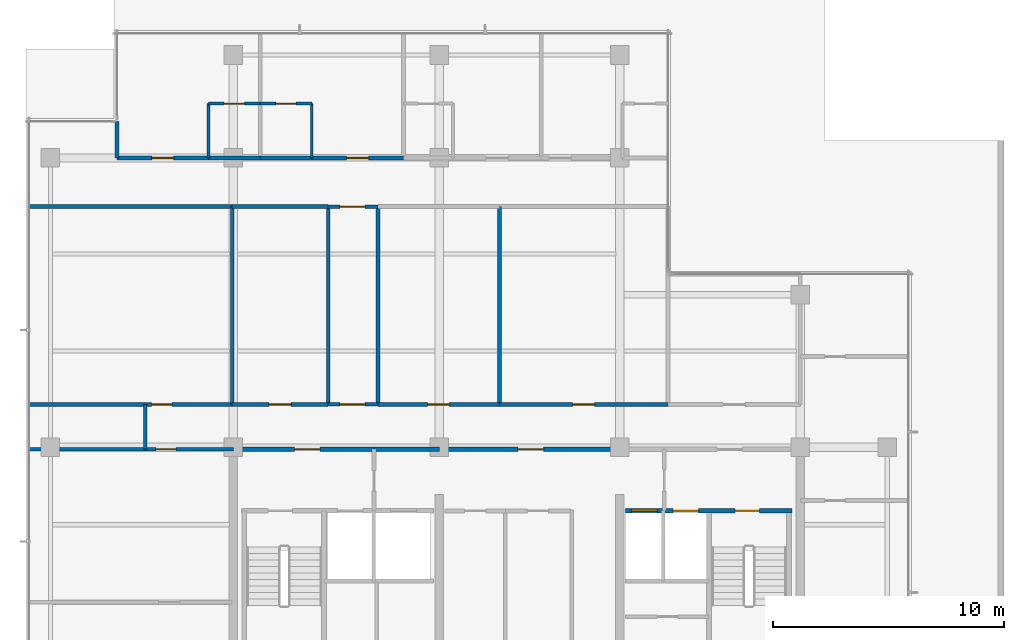
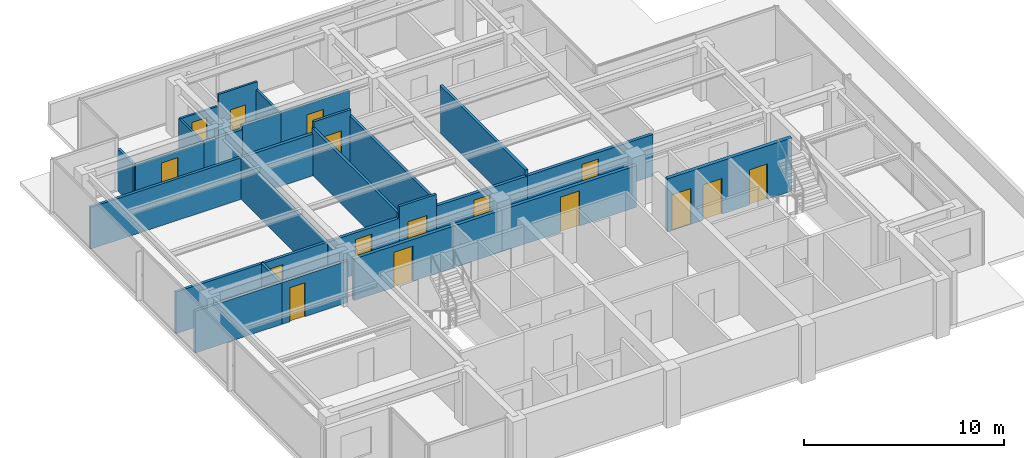
# One storey, part 7 of 11: 28 walls, 16 doors, 16 openings.
"""IFC4 building model written with IfcOpenShell, lengths in metres."""

from ifc_helpers import new_model, si_unit, direction, frame, frame_2d, origin, place, context, subcontext, project, spatial, rectangle, extrude, material, layer, layer_set, type_object, element, fill, save


model = new_model("IFC4")

# Units and contexts
model_context = context("Model", 3, precision=1e-05, world=origin(), true_north=direction((0.0, 1.0)))
body_context = subcontext(model_context, "Body", "Model", "MODEL_VIEW")
ifc_project = project(units=[si_unit("LENGTHUNIT", "METRE"), si_unit("AREAUNIT", "SQUARE_METRE"), si_unit("VOLUMEUNIT", "CUBIC_METRE"), si_unit("PLANEANGLEUNIT", "RADIAN"), si_unit("MASSUNIT", "GRAM", prefix="KILO")], contexts=[model_context])

# Site, building, storey
site_placement = place(None, origin())
site = spatial("IfcSite", under=ifc_project, at=site_placement, CompositionType="ELEMENT")
building_placement = place(site_placement, origin())
building = spatial("IfcBuilding", under=site, at=building_placement, Name="Qalmaran Belvedere Hotel", CompositionType="ELEMENT")
storey_placement = place(building_placement, frame((0.0, 0.0, 238.89990234375)))
storey = spatial("IfcBuildingStorey", under=building, at=storey_placement, Name="L61", CompositionType="ELEMENT", Elevation=238.89990234375)

# Wall, opening, door
ifc_material_1 = material(Name="Moisture-Resistant Gypsum")
ifc_layer_1 = layer(ifc_material_1, 0.1201171875, Name="Moisture-Resistant Gypsum")
ifc_layer_set_1 = layer_set([ifc_layer_1], Name="Moisture-Resistant Gypsum")
wall_type_1 = type_object("IfcWallType", Name="WL-INT-120-BATH", PredefinedType="PARTITIONING", material=ifc_layer_set_1)
wall_1_placement = place(storey_placement, frame((19.230712890625, 35.35009765625, 0.0), z_axis=(0.0, 0.0, 1.0), x_axis=(1.0, 0.0, 0.0)))
wall_1 = element("IfcWall", 1, at=wall_1_placement, inside=storey, type_object=wall_type_1, Name="L61 Partition WL-L61-NBN00", PredefinedType="PARTITIONING", context=body_context, shape_type="SweptSolid", body=[
    extrude(rectangle(XDim=2.22998046875, YDim=0.1201171875, at=frame_2d((1.114990234375, 0.0))), origin(), (0.0, 0.0, 1.0), 2.550048828125),
])
opening_1_placement = place(wall_1_placement, frame((1.554931640625, 0.0, 0.0), z_axis=(0.0, 0.0, 1.0), x_axis=(-1.0, 0.0, 0.0)))
opening_1 = element("IfcOpeningElement", 2, at=opening_1_placement, cuts=wall_1, Name="Opening D-BATH", PredefinedType="OPENING", context=body_context, shape_type="SweptSolid", body=[
    extrude(rectangle(XDim=0.8798828125, YDim=2.080078125, at=frame_2d((0.43994140625, 1.0400390625))), frame((0.0, 0.070068359375, 0.0), z_axis=(0.0, -1.0, 0.0), x_axis=(1.0, 0.0, 0.0)), (0.0, 0.0, 1.0), 0.14013671875),
])
ifc_material_2 = material(Name="Engineered Oak Veneer")
door_type_1 = type_object("IfcDoorType", Name="DR-INT-BATH-880X2080", OperationType="NOTDEFINED", PredefinedType="DOOR", material=ifc_material_2)
door_1_placement = place(opening_1_placement, origin())
door_1 = element("IfcDoor", 3, at=door_1_placement, inside=storey, type_object=door_type_1, Name="L61 Ensuite Bathroom Door N01", OperationType="SINGLE_SWING_LEFT", OverallHeight=2.080078125, OverallWidth=0.8798828125, PredefinedType="DOOR", context=body_context, shape_type="SweptSolid", body=[
    extrude(rectangle(XDim=0.8798828125, YDim=2.080078125, at=frame_2d((0.43994140625, 1.0400390625))), frame((0.0, 0.02490234375, 0.0), z_axis=(0.0, -1.0, 0.0), x_axis=(1.0, 0.0, 0.0)), (0.0, 0.0, 1.0), 0.050048828125),
])
fill(opening_1, door_1)

# Wall
wall_2_placement = place(storey_placement, frame((19.230712890625, 33.0, 0.0), z_axis=(0.0, 0.0, 1.0), x_axis=(0.0, 1.0, 0.0)))
element("IfcWall", 4, at=wall_2_placement, inside=storey, type_object=wall_type_1, Name="L61 Partition WL-L61-NBS00", PredefinedType="PARTITIONING", context=body_context, shape_type="SweptSolid", body=[
    extrude(rectangle(XDim=2.35009765625, YDim=0.1201171875, at=frame_2d((1.175048828125, 0.0))), origin(), (0.0, 0.0, 1.0), 2.550048828125),
])

# Wall, opening, door
wall_3_placement = place(storey_placement, frame((21.460693359375, 35.35009765625, 0.0), z_axis=(0.0, 0.0, 1.0), x_axis=(1.0, 0.0, 0.0)))
wall_3 = element("IfcWall", 5, at=wall_3_placement, inside=storey, type_object=wall_type_1, Name="L61 Partition WL-L61-NBN01", PredefinedType="PARTITIONING", context=body_context, shape_type="SweptSolid", body=[
    extrude(rectangle(XDim=2.22998046875, YDim=0.1201171875, at=frame_2d((1.114990234375, 0.0))), origin(), (0.0, 0.0, 1.0), 3.260009765625),
])
opening_2_placement = place(wall_3_placement, frame((1.554931640625, 0.0, 0.0), z_axis=(0.0, 0.0, 1.0), x_axis=(-1.0, 0.0, 0.0)))
opening_2 = element("IfcOpeningElement", 6, at=opening_2_placement, cuts=wall_3, Name="Opening D-BATH", PredefinedType="OPENING", context=body_context, shape_type="SweptSolid", body=[
    extrude(rectangle(XDim=0.8798828125, YDim=2.080078125, at=frame_2d((0.43994140625, 1.0400390625))), frame((0.0, 0.070068359375, 0.0), z_axis=(0.0, -1.0, 0.0), x_axis=(1.0, 0.0, 0.0)), (0.0, 0.0, 1.0), 0.14013671875),
])
door_2_placement = place(opening_2_placement, origin())
door_2 = element("IfcDoor", 7, at=door_2_placement, inside=storey, type_object=door_type_1, Name="L61 Ensuite Bathroom Door N02", OperationType="SINGLE_SWING_LEFT", OverallHeight=2.080078125, OverallWidth=0.8798828125, PredefinedType="DOOR", context=body_context, shape_type="SweptSolid", body=[
    extrude(rectangle(XDim=0.8798828125, YDim=2.080078125, at=frame_2d((0.43994140625, 1.0400390625))), frame((0.0, 0.02490234375, 0.0), z_axis=(0.0, -1.0, 0.0), x_axis=(1.0, 0.0, 0.0)), (0.0, 0.0, 1.0), 0.050048828125),
])
fill(opening_2, door_2)

# Wall
wall_4_placement = place(storey_placement, frame((23.690673828125, 33.0, 0.0), z_axis=(0.0, 0.0, 1.0), x_axis=(0.0, 1.0, 0.0)))
element("IfcWall", 8, at=wall_4_placement, inside=storey, type_object=wall_type_1, Name="L61 Partition WL-L61-NBS01", PredefinedType="PARTITIONING", context=body_context, shape_type="SweptSolid", body=[
    extrude(rectangle(XDim=2.35009765625, YDim=0.1201171875, at=frame_2d((1.175048828125, 0.0))), origin(), (0.0, 0.0, 1.0), 2.781982421875),
])

# Wall, opening, door
ifc_material_3 = material(Name="Gypsum Stud Partition")
ifc_layer_2 = layer(ifc_material_3, 0.14990234375, Name="Gypsum Stud Partition")
ifc_layer_set_2 = layer_set([ifc_layer_2], Name="Gypsum Stud Partition")
wall_type_2 = type_object("IfcWallType", Name="WL-INT-150-EI60", PredefinedType="PARTITIONING", material=ifc_layer_set_2)
wall_5_placement = place(storey_placement, frame((24.39990234375, 22.35009765625, 0.0), z_axis=(0.0, 0.0, 1.0), x_axis=(1.0, 0.0, 0.0)))
wall_5 = element("IfcWall", 9, at=wall_5_placement, inside=storey, type_object=wall_type_2, Name="L61 Partition WL-L61-XCLS", PredefinedType="PARTITIONING", context=body_context, shape_type="SweptSolid", body=[
    extrude(rectangle(XDim=2.150146484375, YDim=0.14990234375, at=frame_2d((1.0751953125, 0.0))), origin(), (0.0, 0.0, 1.0), 3.260009765625),
])
opening_3_placement = place(wall_5_placement, frame((0.5, 0.0, 0.0)))
opening_3 = element("IfcOpeningElement", 10, at=opening_3_placement, cuts=wall_5, Name="Opening FD90", PredefinedType="OPENING", context=body_context, shape_type="SweptSolid", body=[
    extrude(rectangle(XDim=1.10009765625, YDim=2.14990234375, at=frame_2d((0.550048828125, 1.074951171875))), frame((0.0, 0.0849609375, 0.0), z_axis=(0.0, -1.0, 0.0), x_axis=(1.0, 0.0, 0.0)), (0.0, 0.0, 1.0), 0.169921875),
])
ifc_material_4 = material(Name="Steel S355JR", Category="steel")
door_type_2 = type_object("IfcDoorType", Name="DR-FD90-1100X2150", OperationType="NOTDEFINED", PredefinedType="DOOR", material=ifc_material_4)
door_3_placement = place(opening_3_placement, origin())
door_3 = element("IfcDoor", 11, at=door_3_placement, inside=storey, type_object=door_type_2, Name="L61 Sky Link South Door", OperationType="SINGLE_SWING_RIGHT", OverallHeight=2.14990234375, OverallWidth=1.10009765625, PredefinedType="DOOR", context=body_context, shape_type="SweptSolid", body=[
    extrude(rectangle(XDim=1.10009765625, YDim=2.14990234375, at=frame_2d((0.550048828125, 1.074951171875))), frame((0.0, 0.02490234375, 0.0), z_axis=(0.0, -1.0, 0.0), x_axis=(1.0, 0.0, 0.0)), (0.0, 0.0, 1.0), 0.050048828125),
])
fill(opening_3, door_3)

wall_6_placement = place(storey_placement, frame((24.39990234375, 30.89990234375, 0.0), z_axis=(0.0, 0.0, 1.0), x_axis=(1.0, 0.0, 0.0)))
wall_6 = element("IfcWall", 12, at=wall_6_placement, inside=storey, type_object=wall_type_2, Name="L61 Partition WL-L61-XCLN", PredefinedType="PARTITIONING", context=body_context, shape_type="SweptSolid", body=[
    extrude(rectangle(XDim=2.150146484375, YDim=0.14990234375, at=frame_2d((1.0751953125, 0.0))), origin(), (0.0, 0.0, 1.0), 3.260009765625),
])
opening_4_placement = place(wall_6_placement, frame((0.5, 0.0, 0.0)))
opening_4 = element("IfcOpeningElement", 13, at=opening_4_placement, cuts=wall_6, Name="Opening FD90", PredefinedType="OPENING", context=body_context, shape_type="SweptSolid", body=[
    extrude(rectangle(XDim=1.10009765625, YDim=2.14990234375, at=frame_2d((0.550048828125, 1.074951171875))), frame((0.0, 0.0849609375, 0.0), z_axis=(0.0, -1.0, 0.0), x_axis=(1.0, 0.0, 0.0)), (0.0, 0.0, 1.0), 0.169921875),
])
door_4_placement = place(opening_4_placement, origin())
door_4 = element("IfcDoor", 14, at=door_4_placement, inside=storey, type_object=door_type_2, Name="L61 Sky Link North Door", OperationType="SINGLE_SWING_LEFT", OverallHeight=2.14990234375, OverallWidth=1.10009765625, PredefinedType="DOOR", context=body_context, shape_type="SweptSolid", body=[
    extrude(rectangle(XDim=1.10009765625, YDim=2.14990234375, at=frame_2d((0.550048828125, 1.074951171875))), frame((0.0, 0.02490234375, 0.0), z_axis=(0.0, -1.0, 0.0), x_axis=(1.0, 0.0, 0.0)), (0.0, 0.0, 1.0), 0.050048828125),
])
fill(opening_4, door_4)

# Wall
ifc_layer_3 = layer(ifc_material_3, 0.159912109375, Name="Gypsum Stud Partition")
ifc_layer_set_3 = layer_set([ifc_layer_3], Name="Gypsum Stud Partition")
wall_type_3 = type_object("IfcWallType", Name="WL-INT-160-EI60", PredefinedType="PARTITIONING", material=ifc_layer_set_3)
wall_7_placement = place(storey_placement, frame((11.469970703125, 20.419921875, 0.0), z_axis=(0.0, 0.0, 1.0), x_axis=(1.0, 0.0, 0.0)))
element("IfcWall", 15, at=wall_7_placement, inside=storey, type_object=wall_type_3, Name="L61 Partition WL-L61-C4WS1", PredefinedType="PARTITIONING", context=body_context, shape_type="SweptSolid", body=[
    extrude(rectangle(XDim=5.030029296875, YDim=0.159912109375, at=frame_2d((2.51513671875, 0.0))), origin(), (0.0, 0.0, 1.0), 2.550048828125),
])

# Wall, opening, door
wall_8_placement = place(storey_placement, frame((16.5, 20.419921875, 0.0), z_axis=(0.0, 0.0, 1.0), x_axis=(1.0, 0.0, 0.0)))
wall_8 = element("IfcWall", 16, at=wall_8_placement, inside=storey, type_object=wall_type_3, Name="L61 Partition WL-L61-C4WS2", PredefinedType="PARTITIONING", context=body_context, shape_type="SweptSolid", body=[
    extrude(rectangle(XDim=3.800048828125, YDim=0.159912109375, at=frame_2d((1.89990234375, 0.0))), origin(), (0.0, 0.0, 1.0), 2.550048828125),
])
opening_5_placement = place(wall_8_placement, frame((1.329833984375, 0.0, 0.0), z_axis=(0.0, 0.0, 1.0), x_axis=(-1.0, 0.0, 0.0)))
opening_5 = element("IfcOpeningElement", 17, at=opening_5_placement, cuts=wall_8, Name="Opening FD60B", PredefinedType="OPENING", context=body_context, shape_type="SweptSolid", body=[
    extrude(rectangle(XDim=0.8798828125, YDim=2.080078125, at=frame_2d((0.43994140625, 1.0400390625))), frame((0.0, 0.08984375, 0.0), z_axis=(0.0, -1.0, 0.0), x_axis=(1.0, 0.0, 0.0)), (0.0, 0.0, 1.0), 0.179931640625),
])
door_type_3 = type_object("IfcDoorType", Name="DR-FD60B-880X2080", OperationType="NOTDEFINED", PredefinedType="DOOR", material=ifc_material_4)
door_5_placement = place(opening_5_placement, origin())
door_5 = element("IfcDoor", 18, at=door_5_placement, inside=storey, type_object=door_type_3, Name="L61 West Salon Door", OperationType="SINGLE_SWING_LEFT", OverallHeight=2.080078125, OverallWidth=0.8798828125, PredefinedType="DOOR", context=body_context, shape_type="SweptSolid", body=[
    extrude(rectangle(XDim=0.8798828125, YDim=2.080078125, at=frame_2d((0.43994140625, 1.0400390625))), frame((0.0, 0.02490234375, 0.0), z_axis=(0.0, -1.0, 0.0), x_axis=(1.0, 0.0, 0.0)), (0.0, 0.0, 1.0), 0.050048828125),
])
fill(opening_5, door_5)

# Wall
wall_9_placement = place(storey_placement, frame((16.5, 20.419921875, 0.0), z_axis=(0.0, 0.0, 1.0), x_axis=(0.0, 1.0, 0.0)))
element("IfcWall", 19, at=wall_9_placement, inside=storey, type_object=wall_type_3, Name="L61 Partition WL-L61-C4WW", PredefinedType="PARTITIONING", context=body_context, shape_type="SweptSolid", body=[
    extrude(rectangle(XDim=1.93017578125, YDim=0.159912109375, at=frame_2d((0.965087890625, 0.0))), origin(), (0.0, 0.0, 1.0), 2.550048828125),
])

# Wall, opening, door
wall_10_placement = place(storey_placement, frame((11.469970703125, 22.35009765625, 0.0), z_axis=(0.0, 0.0, 1.0), x_axis=(1.0, 0.0, 0.0)))
wall_10 = element("IfcWall", 20, at=wall_10_placement, inside=storey, type_object=wall_type_3, Name="L61 Partition WL-L61-C4WN0", PredefinedType="PARTITIONING", context=body_context, shape_type="SweptSolid", body=[
    extrude(rectangle(XDim=8.780029296875, YDim=0.159912109375, at=frame_2d((4.39013671875, 0.0))), origin(), (0.0, 0.0, 1.0), 2.550048828125),
])
opening_6_placement = place(wall_10_placement, frame((5.300048828125, 0.0, 0.0)))
opening_6 = element("IfcOpeningElement", 21, at=opening_6_placement, cuts=wall_10, Name="Opening FD60B", PredefinedType="OPENING", context=body_context, shape_type="SweptSolid", body=[
    extrude(rectangle(XDim=0.8798828125, YDim=2.080078125, at=frame_2d((0.43994140625, 1.0400390625))), frame((0.0, 0.08984375, 0.0), z_axis=(0.0, -1.0, 0.0), x_axis=(1.0, 0.0, 0.0)), (0.0, 0.0, 1.0), 0.179931640625),
])
door_6_placement = place(opening_6_placement, origin())
door_6 = element("IfcDoor", 22, at=door_6_placement, inside=storey, type_object=door_type_3, Name="L61 NW Salon Door", OperationType="SINGLE_SWING_RIGHT", OverallHeight=2.080078125, OverallWidth=0.8798828125, PredefinedType="DOOR", context=body_context, shape_type="SweptSolid", body=[
    extrude(rectangle(XDim=0.8798828125, YDim=2.080078125, at=frame_2d((0.43994140625, 1.0400390625))), frame((0.0, 0.02490234375, 0.0), z_axis=(0.0, -1.0, 0.0), x_axis=(1.0, 0.0, 0.0)), (0.0, 0.0, 1.0), 0.050048828125),
])
fill(opening_6, door_6)

# Walls
wall_11_placement = place(storey_placement, frame((11.469970703125, 30.89990234375, 0.0), z_axis=(0.0, 0.0, 1.0), x_axis=(1.0, 0.0, 0.0)))
element("IfcWall", 23, at=wall_11_placement, inside=storey, type_object=wall_type_3, Name="L61 Partition WL-L61-C4WN1", PredefinedType="PARTITIONING", context=body_context, shape_type="SweptSolid", body=[
    extrude(rectangle(XDim=8.780029296875, YDim=0.159912109375, at=frame_2d((4.39013671875, 0.0))), origin(), (0.0, 0.0, 1.0), 2.550048828125),
])
wall_12_placement = place(storey_placement, frame((20.25, 22.35009765625, 0.0), z_axis=(0.0, 0.0, 1.0), x_axis=(0.0, 1.0, 0.0)))
element("IfcWall", 24, at=wall_12_placement, inside=storey, type_object=wall_type_3, Name="L61 Partition WL-L61-C4MWVL", PredefinedType="PARTITIONING", context=body_context, shape_type="SweptSolid", body=[
    extrude(rectangle(XDim=8.5498046875, YDim=0.159912109375, at=frame_2d((4.27490234375, 0.0))), origin(), (0.0, 0.0, 1.0), 2.550048828125),
])
for number, where, z_axis, x_axis, name in (
    (25, (24.39990234375, 22.35009765625, 0.0), (0.0, 0.0, 1.0), (0.0, 1.0, 0.0), "L61 Partition WL-L61-C4MWVR1"),
    (26, (26.550048828125, 22.35009765625, 0.0), (0.0, 0.0, 1.0), (0.0, 1.0, 0.0), "L61 Partition WL-L61-C4MEVL"),
    (27, (31.800048828125, 22.35009765625, 0.0), (0.0, 0.0, 1.0), (0.0, 1.0, 0.0), "L61 Partition WL-L61-C4MEVR1"),
):
    element("IfcWall", number, at=place(storey_placement, frame(where, z_axis=z_axis, x_axis=x_axis)), inside=storey, type_object=wall_type_3, Name=name, PredefinedType="PARTITIONING", context=body_context, shape_type="SweptSolid", body=[
        extrude(rectangle(XDim=8.5498046875, YDim=0.159912109375, at=frame_2d((4.27490234375, 0.0))), origin(), (0.0, 0.0, 1.0), 2.88720703125),
    ])
wall_13_placement = place(storey_placement, frame((15.27001953125, 33.0, 0.0), z_axis=(0.0, 0.0, 1.0), x_axis=(0.0, 1.0, 0.0)))
element("IfcWall", 28, at=wall_13_placement, inside=storey, type_object=wall_type_3, Name="L61 Partition WL-L61-NUL", PredefinedType="PARTITIONING", context=body_context, shape_type="SweptSolid", body=[
    extrude(rectangle(XDim=1.580078125, YDim=0.159912109375, at=frame_2d((0.7900390625, 0.0))), origin(), (0.0, 0.0, 1.0), 2.550048828125),
])

# Wall, opening, door
ifc_layer_4 = layer(ifc_material_3, 0.179931640625, Name="Gypsum Stud Partition")
ifc_layer_set_4 = layer_set([ifc_layer_4], Name="Gypsum Stud Partition")
wall_type_4 = type_object("IfcWallType", Name="WL-INT-180-EI60", PredefinedType="PARTITIONING", material=ifc_layer_set_4)
wall_14_placement = place(storey_placement, frame((20.25, 22.35009765625, 0.0), z_axis=(0.0, 0.0, 1.0), x_axis=(1.0, 0.0, 0.0)))
wall_14 = element("IfcWall", 29, at=wall_14_placement, inside=storey, type_object=wall_type_4, Name="L61 Partition WL-L61-C4MWD1", PredefinedType="PARTITIONING", context=body_context, shape_type="SweptSolid", body=[
    extrude(rectangle(XDim=4.14990234375, YDim=0.179931640625, at=frame_2d((2.074951171875, 0.0))), origin(), (0.0, 0.0, 1.0), 2.550048828125),
])
opening_7_placement = place(wall_14_placement, frame((1.60009765625, 0.0, 0.0)))
opening_7 = element("IfcOpeningElement", 30, at=opening_7_placement, cuts=wall_14, Name="Opening FD60", PredefinedType="OPENING", context=body_context, shape_type="SweptSolid", body=[
    extrude(rectangle(XDim=0.949951171875, YDim=2.14990234375, at=frame_2d((0.47509765625, 1.074951171875))), frame((0.0, 0.10009765625, 0.0), z_axis=(0.0, -1.0, 0.0), x_axis=(1.0, 0.0, 0.0)), (0.0, 0.0, 1.0), 0.199951171875),
])
door_type_4 = type_object("IfcDoorType", Name="DR-FD60-950X2150", OperationType="NOTDEFINED", PredefinedType="DOOR", material=ifc_material_2)
door_7_placement = place(opening_7_placement, origin())
door_7 = element("IfcDoor", 31, at=door_7_placement, inside=storey, type_object=door_type_4, Name="L61 Housekeeping and Linen Room Door", OperationType="SINGLE_SWING_LEFT", OverallHeight=2.14990234375, OverallWidth=0.949951171875, PredefinedType="DOOR", context=body_context, shape_type="SweptSolid", body=[
    extrude(rectangle(XDim=0.949951171875, YDim=2.14990234375, at=frame_2d((0.47509765625, 1.074951171875))), frame((0.0, 0.02490234375, 0.0), z_axis=(0.0, -1.0, 0.0), x_axis=(1.0, 0.0, 0.0)), (0.0, 0.0, 1.0), 0.050048828125),
])
fill(opening_7, door_7)

# Wall
wall_15_placement = place(storey_placement, frame((20.25, 30.89990234375, 0.0), z_axis=(0.0, 0.0, 1.0), x_axis=(1.0, 0.0, 0.0)))
element("IfcWall", 32, at=wall_15_placement, inside=storey, type_object=wall_type_4, Name="L61 Partition WL-L61-C4MWO1", PredefinedType="PARTITIONING", context=body_context, shape_type="SweptSolid", body=[
    extrude(rectangle(XDim=4.14990234375, YDim=0.179931640625, at=frame_2d((2.074951171875, 0.0))), origin(), (0.0, 0.0, 1.0), 2.550048828125),
])

# Wall, opening, door
wall_16_placement = place(storey_placement, frame((26.550048828125, 22.35009765625, 0.0), z_axis=(0.0, 0.0, 1.0), x_axis=(1.0, 0.0, 0.0)))
wall_16 = element("IfcWall", 33, at=wall_16_placement, inside=storey, type_object=wall_type_4, Name="L61 Partition WL-L61-C4MED1", PredefinedType="PARTITIONING", context=body_context, shape_type="SweptSolid", body=[
    extrude(rectangle(XDim=5.25, YDim=0.179931640625, at=frame_2d((2.625, 0.0))), origin(), (0.0, 0.0, 1.0), 2.550048828125),
])
opening_8_placement = place(wall_16_placement, frame((2.14990234375, 0.0, 0.0)))
opening_8 = element("IfcOpeningElement", 34, at=opening_8_placement, cuts=wall_16, Name="Opening FD60", PredefinedType="OPENING", context=body_context, shape_type="SweptSolid", body=[
    extrude(rectangle(XDim=0.949951171875, YDim=2.14990234375, at=frame_2d((0.47509765625, 1.074951171875))), frame((0.0, 0.10009765625, 0.0), z_axis=(0.0, -1.0, 0.0), x_axis=(1.0, 0.0, 0.0)), (0.0, 0.0, 1.0), 0.199951171875),
])
door_8_placement = place(opening_8_placement, origin())
door_8 = element("IfcDoor", 35, at=door_8_placement, inside=storey, type_object=door_type_4, Name="L61 Club Lounge Door", OperationType="SINGLE_SWING_RIGHT", OverallHeight=2.14990234375, OverallWidth=0.949951171875, PredefinedType="DOOR", context=body_context, shape_type="SweptSolid", body=[
    extrude(rectangle(XDim=0.949951171875, YDim=2.14990234375, at=frame_2d((0.47509765625, 1.074951171875))), frame((0.0, 0.02490234375, 0.0), z_axis=(0.0, -1.0, 0.0), x_axis=(1.0, 0.0, 0.0)), (0.0, 0.0, 1.0), 0.050048828125),
])
fill(opening_8, door_8)

wall_17_placement = place(storey_placement, frame((31.800048828125, 22.35009765625, 0.0), z_axis=(0.0, 0.0, 1.0), x_axis=(1.0, 0.0, 0.0)))
wall_17 = element("IfcWall", 36, at=wall_17_placement, inside=storey, type_object=wall_type_4, Name="L61 Partition WL-L61-C4MED2", PredefinedType="PARTITIONING", context=body_context, shape_type="SweptSolid", body=[
    extrude(rectangle(XDim=7.280029296875, YDim=0.179931640625, at=frame_2d((3.64013671875, 0.0))), origin(), (0.0, 0.0, 1.0), 2.550048828125),
])
opening_9_placement = place(wall_17_placement, frame((3.1650390625, 0.0, 0.0)))
opening_9 = element("IfcOpeningElement", 37, at=opening_9_placement, cuts=wall_17, Name="Opening FD60", PredefinedType="OPENING", context=body_context, shape_type="SweptSolid", body=[
    extrude(rectangle(XDim=0.949951171875, YDim=2.14990234375, at=frame_2d((0.47509765625, 1.074951171875))), frame((0.0, 0.10009765625, 0.0), z_axis=(0.0, -1.0, 0.0), x_axis=(1.0, 0.0, 0.0)), (0.0, 0.0, 1.0), 0.199951171875),
])
door_9_placement = place(opening_9_placement, origin())
door_9 = element("IfcDoor", 38, at=door_9_placement, inside=storey, type_object=door_type_4, Name="L61 Reading Lounge Door", OperationType="SINGLE_SWING_LEFT", OverallHeight=2.14990234375, OverallWidth=0.949951171875, PredefinedType="DOOR", context=body_context, shape_type="SweptSolid", body=[
    extrude(rectangle(XDim=0.949951171875, YDim=2.14990234375, at=frame_2d((0.47509765625, 1.074951171875))), frame((0.0, 0.02490234375, 0.0), z_axis=(0.0, -1.0, 0.0), x_axis=(1.0, 0.0, 0.0)), (0.0, 0.0, 1.0), 0.050048828125),
])
fill(opening_9, door_9)

# Wall
wall_18_placement = place(storey_placement, frame((19.230712890625, 33.0, 0.0), z_axis=(0.0, 0.0, 1.0), x_axis=(1.0, 0.0, 0.0)))
element("IfcWall", 39, at=wall_18_placement, inside=storey, type_object=wall_type_4, Name="L61 Partition WL-L61-NBC00", PredefinedType="PARTITIONING", context=body_context, shape_type="SweptSolid", body=[
    extrude(rectangle(XDim=2.22998046875, YDim=0.179931640625, at=frame_2d((1.114990234375, 0.0))), origin(), (0.0, 0.0, 1.0), 2.550048828125),
])

# Wall, opening, door
wall_19_placement = place(storey_placement, frame((15.27001953125, 33.0, 0.0), z_axis=(0.0, 0.0, 1.0), x_axis=(1.0, 0.0, 0.0)))
wall_19 = element("IfcWall", 40, at=wall_19_placement, inside=storey, type_object=wall_type_4, Name="L61 Partition WL-L61-NEC00", PredefinedType="PARTITIONING", context=body_context, shape_type="SweptSolid", body=[
    extrude(rectangle(XDim=3.960693359375, YDim=0.179931640625, at=frame_2d((1.98046875, 0.0))), origin(), (0.0, 0.0, 1.0), 2.550048828125),
])
opening_10_placement = place(wall_19_placement, frame((1.50537109375, 0.0, 0.0)))
opening_10 = element("IfcOpeningElement", 41, at=opening_10_placement, cuts=wall_19, Name="Opening FD60", PredefinedType="OPENING", context=body_context, shape_type="SweptSolid", body=[
    extrude(rectangle(XDim=0.949951171875, YDim=2.14990234375, at=frame_2d((0.47509765625, 1.074951171875))), frame((0.0, 0.10009765625, 0.0), z_axis=(0.0, -1.0, 0.0), x_axis=(1.0, 0.0, 0.0)), (0.0, 0.0, 1.0), 0.199951171875),
])
door_10_placement = place(opening_10_placement, origin())
door_10 = element("IfcDoor", 42, at=door_10_placement, inside=storey, type_object=door_type_4, Name="L61 Guest Entrance Door N01", OperationType="SINGLE_SWING_RIGHT", OverallHeight=2.14990234375, OverallWidth=0.949951171875, PredefinedType="DOOR", context=body_context, shape_type="SweptSolid", body=[
    extrude(rectangle(XDim=0.949951171875, YDim=2.14990234375, at=frame_2d((0.47509765625, 1.074951171875))), frame((0.0, 0.02490234375, 0.0), z_axis=(0.0, -1.0, 0.0), x_axis=(1.0, 0.0, 0.0)), (0.0, 0.0, 1.0), 0.050048828125),
])
fill(opening_10, door_10)

# Wall
wall_20_placement = place(storey_placement, frame((21.460693359375, 33.0, 0.0), z_axis=(0.0, 0.0, 1.0), x_axis=(1.0, 0.0, 0.0)))
element("IfcWall", 43, at=wall_20_placement, inside=storey, type_object=wall_type_4, Name="L61 Partition WL-L61-NBC01", PredefinedType="PARTITIONING", context=body_context, shape_type="SweptSolid", body=[
    extrude(rectangle(XDim=2.22998046875, YDim=0.179931640625, at=frame_2d((1.114990234375, 0.0))), origin(), (0.0, 0.0, 1.0), 2.781982421875),
])

# Wall, opening, door
wall_21_placement = place(storey_placement, frame((23.690673828125, 33.0, 0.0), z_axis=(0.0, 0.0, 1.0), x_axis=(1.0, 0.0, 0.0)))
wall_21 = element("IfcWall", 44, at=wall_21_placement, inside=storey, type_object=wall_type_4, Name="L61 Partition WL-L61-NEC01", PredefinedType="PARTITIONING", context=body_context, shape_type="SweptSolid", body=[
    extrude(rectangle(XDim=3.96044921875, YDim=0.179931640625, at=frame_2d((1.980224609375, 0.0))), origin(), (0.0, 0.0, 1.0), 2.781982421875),
])
opening_11_placement = place(wall_21_placement, frame((1.50537109375, 0.0, 0.0)))
opening_11 = element("IfcOpeningElement", 45, at=opening_11_placement, cuts=wall_21, Name="Opening FD60", PredefinedType="OPENING", context=body_context, shape_type="SweptSolid", body=[
    extrude(rectangle(XDim=0.949951171875, YDim=2.14990234375, at=frame_2d((0.47509765625, 1.074951171875))), frame((0.0, 0.10009765625, 0.0), z_axis=(0.0, -1.0, 0.0), x_axis=(1.0, 0.0, 0.0)), (0.0, 0.0, 1.0), 0.199951171875),
])
door_11_placement = place(opening_11_placement, origin())
door_11 = element("IfcDoor", 46, at=door_11_placement, inside=storey, type_object=door_type_4, Name="L61 Guest Entrance Door N02", OperationType="SINGLE_SWING_RIGHT", OverallHeight=2.14990234375, OverallWidth=0.949951171875, PredefinedType="DOOR", context=body_context, shape_type="SweptSolid", body=[
    extrude(rectangle(XDim=0.949951171875, YDim=2.14990234375, at=frame_2d((0.47509765625, 1.074951171875))), frame((0.0, 0.02490234375, 0.0), z_axis=(0.0, -1.0, 0.0), x_axis=(1.0, 0.0, 0.0)), (0.0, 0.0, 1.0), 0.050048828125),
])
fill(opening_11, door_11)

ifc_material_5 = material(Name="Concrete C30/37 Blockwork", Category="masonry")
ifc_layer_5 = layer(ifc_material_5, 0.199951171875, Name="Concrete C30/37 Blockwork")
ifc_layer_set_5 = layer_set([ifc_layer_5], Name="Concrete C30/37 Blockwork")
wall_type_5 = type_object("IfcWallType", Name="WL-INT-200-EI120", PredefinedType="PARTITIONING", material=ifc_layer_set_5)
wall_22_placement = place(storey_placement, frame((20.64990234375, 20.419921875, 0.0), z_axis=(0.0, 0.0, 1.0), x_axis=(1.0, 0.0, 0.0)))
wall_22 = element("IfcWall", 47, at=wall_22_placement, inside=storey, type_object=wall_type_5, Name="L61 Partition WL-CN1A-L61", PredefinedType="PARTITIONING", context=body_context, shape_type="SweptSolid", body=[
    extrude(rectangle(XDim=5.72998046875, YDim=0.199951171875, at=frame_2d((2.864990234375, 0.0))), origin(), (0.0, 0.0, 1.0), 2.550048828125),
])
opening_12_placement = place(wall_22_placement, frame((2.300048828125, 0.0, 0.0)))
opening_12 = element("IfcOpeningElement", 48, at=opening_12_placement, cuts=wall_22, Name="Opening FD90", PredefinedType="OPENING", context=body_context, shape_type="SweptSolid", body=[
    extrude(rectangle(XDim=1.10009765625, YDim=2.14990234375, at=frame_2d((0.550048828125, 1.074951171875))), frame((0.0, 0.10986328125, 0.0), z_axis=(0.0, -1.0, 0.0), x_axis=(1.0, 0.0, 0.0)), (0.0, 0.0, 1.0), 0.219970703125),
])
door_12_placement = place(opening_12_placement, origin())
door_12 = element("IfcDoor", 49, at=door_12_placement, inside=storey, type_object=door_type_2, Name="L61 FF1 Lobby Corridor Door", OperationType="SINGLE_SWING_LEFT", OverallHeight=2.14990234375, OverallWidth=1.10009765625, PredefinedType="DOOR", context=body_context, shape_type="SweptSolid", body=[
    extrude(rectangle(XDim=1.10009765625, YDim=2.14990234375, at=frame_2d((0.550048828125, 1.074951171875))), frame((0.0, 0.02490234375, 0.0), z_axis=(0.0, -1.0, 0.0), x_axis=(1.0, 0.0, 0.0)), (0.0, 0.0, 1.0), 0.050048828125),
])
fill(opening_12, door_12)

# Wall
wall_23_placement = place(storey_placement, frame((26.3798828125, 20.419921875, 0.0), z_axis=(0.0, 0.0, 1.0), x_axis=(1.0, 0.0, 0.0)))
element("IfcWall", 50, at=wall_23_placement, inside=storey, type_object=wall_type_5, Name="L61 Partition WL-CN1B-L61", PredefinedType="PARTITIONING", context=body_context, shape_type="SweptSolid", body=[
    extrude(rectangle(XDim=2.820068359375, YDim=0.199951171875, at=frame_2d((1.41015625, 0.0))), origin(), (0.0, 0.0, 1.0), 2.550048828125),
])

# Wall, opening, door
wall_24_placement = place(storey_placement, frame((29.199951171875, 20.419921875, 0.0), z_axis=(0.0, 0.0, 1.0), x_axis=(1.0, 0.0, 0.0)))
wall_24 = element("IfcWall", 51, at=wall_24_placement, inside=storey, type_object=wall_type_5, Name="L61 Partition WL-CN2-L61", PredefinedType="PARTITIONING", context=body_context, shape_type="SweptSolid", body=[
    extrude(rectangle(XDim=7.800048828125, YDim=0.199951171875, at=frame_2d((3.89990234375, 0.0))), origin(), (0.0, 0.0, 1.0), 2.550048828125),
])
opening_13_placement = place(wall_24_placement, frame((3.4091796875, 0.0, 0.0)))
opening_13 = element("IfcOpeningElement", 52, at=opening_13_placement, cuts=wall_24, Name="Opening FD90", PredefinedType="OPENING", context=body_context, shape_type="SweptSolid", body=[
    extrude(rectangle(XDim=1.10009765625, YDim=2.14990234375, at=frame_2d((0.550048828125, 1.074951171875))), frame((0.0, 0.10986328125, 0.0), z_axis=(0.0, -1.0, 0.0), x_axis=(1.0, 0.0, 0.0)), (0.0, 0.0, 1.0), 0.219970703125),
])
door_13_placement = place(opening_13_placement, origin())
door_13 = element("IfcDoor", 53, at=door_13_placement, inside=storey, type_object=door_type_2, Name="L61 Central Lift Lobby Door", OperationType="SINGLE_SWING_RIGHT", OverallHeight=2.14990234375, OverallWidth=1.10009765625, PredefinedType="DOOR", context=body_context, shape_type="SweptSolid", body=[
    extrude(rectangle(XDim=1.10009765625, YDim=2.14990234375, at=frame_2d((0.550048828125, 1.074951171875))), frame((0.0, 0.02490234375, 0.0), z_axis=(0.0, -1.0, 0.0), x_axis=(1.0, 0.0, 0.0)), (0.0, 0.0, 1.0), 0.050048828125),
])
fill(opening_13, door_13)

# Wall, openings, doors
ifc_material_6 = material(Name="Concrete C50/60", Category="concrete")
ifc_layer_6 = layer(ifc_material_6, 0.2099609375, Name="Concrete C50/60")
ifc_layer_set_6 = layer_set([ifc_layer_6], Name="Concrete C50/60")
wall_type_6 = type_object("IfcWallType", Name="WL-STAIR-210-C50", PredefinedType="SHEAR", material=ifc_layer_set_6)
wall_25_placement = place(storey_placement, frame((37.25, 17.7548828125, 0.0), z_axis=(0.0, 0.0, 1.0), x_axis=(1.0, 0.0, 0.0)))
wall_25 = element("IfcWall", 54, at=wall_25_placement, inside=storey, type_object=wall_type_6, Name="L61 East Lobby and Stair ST-2 North Bearing Wall", PredefinedType="SHEAR", context=body_context, shape_type="SweptSolid", body=[
    extrude(rectangle(XDim=7.199951171875, YDim=0.2099609375, at=frame_2d((3.60009765625, 0.0))), origin(), (0.0, 0.0, 1.0), 3.260009765625),
])
opening_14_placement = place(wall_25_placement, frame((0.25, 0.0, 0.0)))
opening_14 = element("IfcOpeningElement", 55, at=opening_14_placement, cuts=wall_25, Name="Opening LD-SV", PredefinedType="OPENING", context=body_context, shape_type="SweptSolid", body=[
    extrude(rectangle(XDim=1.1201171875, YDim=2.199951171875, at=frame_2d((0.56005859375, 1.10009765625))), frame((0.0, 0.114990234375, 0.0), z_axis=(0.0, -1.0, 0.0), x_axis=(1.0, 0.0, 0.0)), (0.0, 0.0, 1.0), 0.22998046875),
])
opening_15_placement = place(wall_25_placement, frame((2.050048828125, 0.0, 0.0)))
opening_15 = element("IfcOpeningElement", 56, at=opening_15_placement, cuts=wall_25, Name="Opening LD-FF", PredefinedType="OPENING", context=body_context, shape_type="SweptSolid", body=[
    extrude(rectangle(XDim=1.10009765625, YDim=2.179931640625, at=frame_2d((0.550048828125, 1.08984375))), frame((0.0, 0.114990234375, 0.0), z_axis=(0.0, -1.0, 0.0), x_axis=(1.0, 0.0, 0.0)), (0.0, 0.0, 1.0), 0.22998046875),
])
opening_16_placement = place(wall_25_placement, frame((5.780029296875, 0.0, 0.0), z_axis=(0.0, 0.0, 1.0), x_axis=(-1.0, 0.0, 0.0)))
opening_16 = element("IfcOpeningElement", 57, at=opening_16_placement, cuts=wall_25, Name="Opening FD90S2", PredefinedType="OPENING", context=body_context, shape_type="SweptSolid", body=[
    extrude(rectangle(XDim=1.050048828125, YDim=2.14990234375, at=frame_2d((0.52490234375, 1.074951171875))), frame((0.0, 0.114990234375, 0.0), z_axis=(0.0, -1.0, 0.0), x_axis=(1.0, 0.0, 0.0)), (0.0, 0.0, 1.0), 0.22998046875),
])
door_type_5 = type_object("IfcDoorType", Name="DR-FD90S-1050X2150", OperationType="NOTDEFINED", PredefinedType="DOOR", material=ifc_material_4)
door_14_placement = place(opening_16_placement, origin())
door_14 = element("IfcDoor", 58, at=door_14_placement, inside=storey, type_object=door_type_5, Name="L61 Stair ST-2 Door", OperationType="SINGLE_SWING_RIGHT", OverallHeight=2.14990234375, OverallWidth=1.050048828125, PredefinedType="DOOR", context=body_context, shape_type="SweptSolid", body=[
    extrude(rectangle(XDim=1.050048828125, YDim=2.14990234375, at=frame_2d((0.52490234375, 1.074951171875))), frame((0.0, 0.02490234375, 0.0), z_axis=(0.0, -1.0, 0.0), x_axis=(1.0, 0.0, 0.0)), (0.0, 0.0, 1.0), 0.050048828125),
])
fill(opening_16, door_14)
ifc_material_7 = material(Name="Stainless Steel 1.4401", Category="steel")
door_type_6 = type_object("IfcDoorType", Name="DR-LIFT-FF-1100X2180", OperationType="DOUBLE_DOOR_SLIDING", PredefinedType="DOOR", material=ifc_material_7)
door_15_placement = place(opening_15_placement, origin())
door_15 = element("IfcDoor", 59, at=door_15_placement, inside=storey, type_object=door_type_6, Name="L61 FF2 Lift Landing Door", OperationType="DOUBLE_DOOR_SLIDING", OverallHeight=2.179931640625, OverallWidth=1.10009765625, PredefinedType="DOOR", context=body_context, shape_type="SweptSolid", body=[
    extrude(rectangle(XDim=1.10009765625, YDim=2.179931640625, at=frame_2d((0.550048828125, 1.08984375))), frame((0.0, 0.02490234375, 0.0), z_axis=(0.0, -1.0, 0.0), x_axis=(1.0, 0.0, 0.0)), (0.0, 0.0, 1.0), 0.050048828125),
])
fill(opening_15, door_15)
door_type_7 = type_object("IfcDoorType", Name="DR-LIFT-SV-1120X2200", OperationType="DOUBLE_DOOR_SLIDING", PredefinedType="DOOR", material=ifc_material_7)
door_16_placement = place(opening_14_placement, origin())
door_16 = element("IfcDoor", 60, at=door_16_placement, inside=storey, type_object=door_type_7, Name="L61 SV2 Lift Landing Door", OperationType="DOUBLE_DOOR_SLIDING", OverallHeight=2.199951171875, OverallWidth=1.1201171875, PredefinedType="DOOR", context=body_context, shape_type="SweptSolid", body=[
    extrude(rectangle(XDim=1.1201171875, YDim=2.199951171875, at=frame_2d((0.56005859375, 1.10009765625))), frame((0.0, 0.02490234375, 0.0), z_axis=(0.0, -1.0, 0.0), x_axis=(1.0, 0.0, 0.0)), (0.0, 0.0, 1.0), 0.050048828125),
])
fill(opening_14, door_16)

save(model, "model.ifc")
